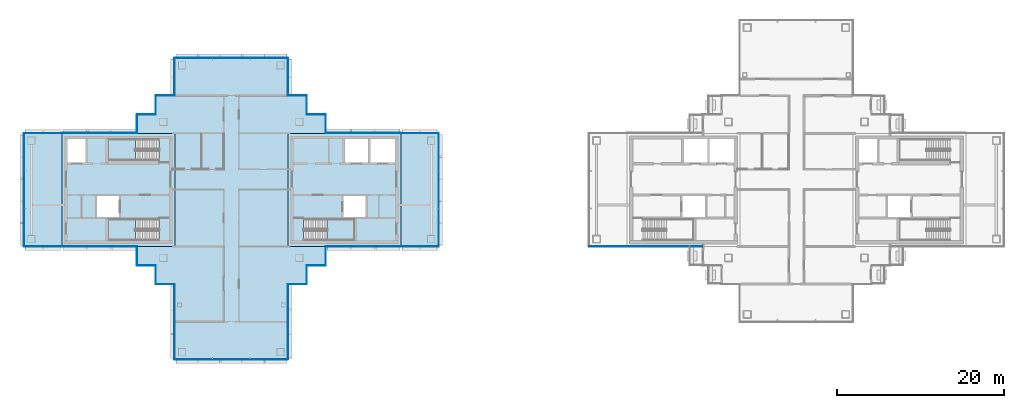
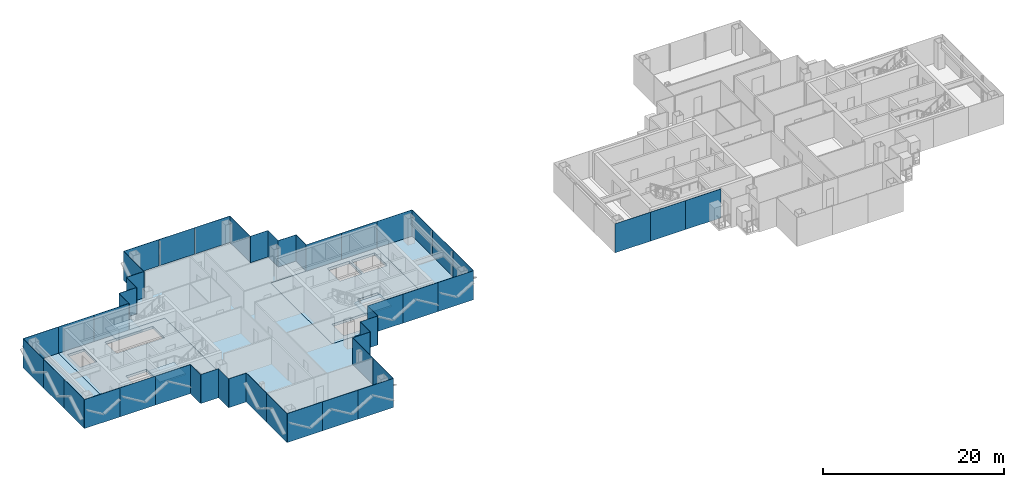
# One storey, part 7 of 17: 49 plates, 8 slabs, 25 elements without a shape of their own.
"""IFC4 building model written with IfcOpenShell, lengths in metres."""

from ifc_helpers import new_model, si_unit, direction, frame, origin, origin_2d, place, context, subcontext, project, spatial, polyline, rectangle, outline, extrude, material, layer, layer_set, type_object, element, aggregate, save


model = new_model("IFC4")

# Units and contexts
model_context = context("Model", 3, precision=1e-05, world=origin(), true_north=direction((0.0, 1.0)))
body_context = subcontext(model_context, "Body", "Model", "MODEL_VIEW")
ifc_project = project(units=[si_unit("LENGTHUNIT", "METRE"), si_unit("AREAUNIT", "SQUARE_METRE"), si_unit("VOLUMEUNIT", "CUBIC_METRE"), si_unit("PLANEANGLEUNIT", "RADIAN"), si_unit("MASSUNIT", "GRAM", prefix="KILO")], contexts=[model_context])

# Site, building, storey
site_placement = place(None, origin())
site = spatial("IfcSite", under=ifc_project, at=site_placement, CompositionType="ELEMENT")
building_placement = place(site_placement, origin())
building = spatial("IfcBuilding", under=site, at=building_placement, Name="Shamsa Quay Exchange Towers", CompositionType="ELEMENT")
storey_placement = place(building_placement, frame((0.0, 0.0, 230.39990234375)))
storey = spatial("IfcBuildingStorey", under=building, at=storey_placement, Name="L55", CompositionType="ELEMENT", Elevation=230.39990234375)

# Slabs
ifc_material_1 = material(Name="Concrete C50/60", Category="concrete")
ifc_layer_1 = layer(ifc_material_1, 0.35009765625)
ifc_layer_set_1 = layer_set([ifc_layer_1], Name="CORE FLOOR 350 C50/60")
slab_type_1 = type_object("IfcSlabType", Name="CORE FLOOR 350 C50/60", PredefinedType="FLOOR", material=ifc_layer_set_1)
slab_1_placement = place(storey_placement, frame((0.0, 0.0, -0.349853515625)))
element("IfcSlab", 1, at=slab_1_placement, inside=storey, type_object=slab_type_1, Name="Core floor T1A", PredefinedType="FLOOR", context=body_context, shape_type="SweptSolid", body=[
    extrude(outline(polyline([(-27.0, -6.75), (-13.5, -6.75), (-13.5, 6.75), (-27.0, 6.75), (-27.0, -6.75)]), holes=[polyline([(-25.099365234375, -6.050048828125), (-25.099365234375, -3.5), (-19.0, -3.5), (-19.0, -6.050048828125), (-25.099365234375, -6.050048828125)]), polyline([(-20.199951171875, 3.25), (-20.199951171875, 6.050048828125), (-17.39990234375, 6.050048828125), (-17.39990234375, 3.25), (-20.199951171875, 3.25)]), polyline([(-17.14990234375, 3.25), (-17.14990234375, 6.050048828125), (-14.199951171875, 6.050048828125), (-14.199951171875, 3.25), (-17.14990234375, 3.25)]), polyline([(-20.35009765625, -3.25), (-20.35009765625, -0.75), (-17.699951171875, -0.75), (-17.699951171875, -3.25), (-20.35009765625, -3.25)])]), origin(), (0.0, 0.0, 1.0), 0.349853515625),
])
slab_2_placement = place(storey_placement, frame((0.0, 0.0, -0.349853515625)))
element("IfcSlab", 2, at=slab_2_placement, inside=storey, type_object=slab_type_1, Name="Core floor T1B", PredefinedType="FLOOR", context=body_context, shape_type="SweptSolid", body=[
    extrude(outline(polyline([(-40.5, -6.75), (-40.5, 6.75), (-54.0, 6.75), (-54.0, -6.75), (-40.5, -6.75)]), holes=[polyline([(-42.400634765625, -3.5), (-42.400634765625, -6.050048828125), (-48.5, -6.050048828125), (-48.5, -3.5), (-42.400634765625, -3.5)]), polyline([(-42.400634765625, 6.050048828125), (-42.400634765625, 3.5), (-48.5, 3.5), (-48.5, 6.050048828125), (-42.400634765625, 6.050048828125)]), polyline([(-51.14990234375, 3.25), (-53.300048828125, 3.25), (-53.300048828125, 6.050048828125), (-51.14990234375, 6.050048828125), (-51.14990234375, 3.25)]), polyline([(-47.14990234375, -3.25), (-49.800048828125, -3.25), (-49.800048828125, -0.75), (-47.14990234375, -0.75), (-47.14990234375, -3.25)])]), origin(), (0.0, 0.0, 1.0), 0.349853515625),
])

# Stair, slab
ifc_material_2 = material(Name="Concrete C40/50", Category="concrete")
stair_type = type_object("IfcStairType", Name="EXIT STAIR 22 RISERS 177 MM", PredefinedType="HALF_TURN_STAIR", material=ifc_material_2)
stair_1_placement = place(storey_placement, origin())
stair_1 = element("IfcStair", 3, at=stair_1_placement, inside=storey, type_object=stair_type, Name="L55 Exit stair ST1", PredefinedType="HALF_TURN_STAIR")
ifc_layer_2 = layer(ifc_material_2, 0.199951171875)
ifc_layer_set_2 = layer_set([ifc_layer_2], Name="CORE STAIR LANDING")
slab_type_2 = type_object("IfcSlabType", Name="CORE STAIR LANDING", PredefinedType="LANDING", material=ifc_layer_set_2)
slab_3_placement = place(storey_placement, frame((0.0, 0.0, 1.75)))
slab_3 = element("IfcSlab", 4, at=slab_3_placement, type_object=slab_type_2, Name="ST1 landing 1", PredefinedType="LANDING", context=body_context, shape_type="SweptSolid", body=[
    extrude(outline(polyline([(-22.300048828125, -6.050048828125), (-19.0, -6.050048828125), (-19.0, -3.5), (-22.300048828125, -3.5), (-22.300048828125, -6.050048828125)])), origin(), (0.0, 0.0, 1.0), 0.2001953125),
])
aggregate(stair_1, [slab_3])

stair_2_placement = place(storey_placement, origin())
stair_2 = element("IfcStair", 5, at=stair_2_placement, inside=storey, type_object=stair_type, Name="L55 Exit stair ST2", PredefinedType="HALF_TURN_STAIR")
slab_4_placement = place(storey_placement, frame((0.0, 0.0, 1.75)))
slab_4 = element("IfcSlab", 6, at=slab_4_placement, type_object=slab_type_2, Name="ST2 landing 1", PredefinedType="LANDING", context=body_context, shape_type="SweptSolid", body=[
    extrude(outline(polyline([(-45.199951171875, -3.5), (-48.5, -3.5), (-48.5, -6.050048828125), (-45.199951171875, -6.050048828125), (-45.199951171875, -3.5)])), origin(), (0.0, 0.0, 1.0), 0.2001953125),
])
aggregate(stair_2, [slab_4])

stair_3_placement = place(storey_placement, origin())
stair_3 = element("IfcStair", 7, at=stair_3_placement, inside=storey, type_object=stair_type, Name="L55 Exit stair ST3", PredefinedType="HALF_TURN_STAIR")
slab_5_placement = place(storey_placement, frame((0.0, 0.0, 1.75)))
slab_5 = element("IfcSlab", 8, at=slab_5_placement, type_object=slab_type_2, Name="ST3 landing 1", PredefinedType="LANDING", context=body_context, shape_type="SweptSolid", body=[
    extrude(outline(polyline([(-45.199951171875, 6.050048828125), (-48.5, 6.050048828125), (-48.5, 3.5), (-45.199951171875, 3.5), (-45.199951171875, 6.050048828125)])), origin(), (0.0, 0.0, 1.0), 0.2001953125),
])
aggregate(stair_3, [slab_5])

# Curtain wall, plates
ifc_material_3 = material(Name="Aluminium EN AW-6063 T6, black anodised", Category="aluminium")
ifc_layer_3 = layer(ifc_material_3, 0.280029296875)
ifc_layer_set_3 = layer_set([ifc_layer_3], Name="CW-1 UNITISED VISION GLASS")
curtain_wall_type_1 = type_object("IfcCurtainWallType", Name="CW-1 UNITISED VISION GLASS", PredefinedType="NOTDEFINED", material=ifc_layer_set_3)
curtain_wall_1_placement = place(storey_placement, origin())
curtain_wall_1 = element("IfcCurtainWall", 9, at=curtain_wall_1_placement, inside=storey, type_object=curtain_wall_type_1, Name="CW1 T1-FLK-V-W L55", PredefinedType="NOTDEFINED")
ifc_material_4 = material(Name="Glass, laminated, dark tinted", Category="glass")
ifc_layer_4 = layer(ifc_material_4, 0.0400390625)
ifc_layer_set_4 = layer_set([ifc_layer_4], Name="CW-1 VISION GLASS 40")
plate_type_1 = type_object("IfcPlateType", Name="CW-1 VISION GLASS 40", PredefinedType="CURTAIN_PANEL", material=ifc_layer_set_4)
plate_1_placement = place(storey_placement, frame((-40.52001953125, -13.52587890625, -0.349853515625), z_axis=(0.0, 0.0, 1.0), x_axis=(0.0, -1.0, 0.0)))
plate_1 = element("IfcPlate", 10, at=plate_1_placement, type_object=plate_type_1, Name="CW1 glass panel", PredefinedType="CURTAIN_PANEL", context=body_context, shape_type="SweptSolid", body=[
    extrude(rectangle(XDim=4.47607421875, YDim=0.0400390625, at=origin_2d()), origin(), (0.0, 0.0, 1.0), 3.89990234375),
])
plate_2_placement = place(storey_placement, frame((-40.52001953125, -18.011962890625, -0.349853515625), z_axis=(0.0, 0.0, 1.0), x_axis=(0.0, -1.0, 0.0)))
plate_2 = element("IfcPlate", 11, at=plate_2_placement, type_object=plate_type_1, Name="CW1 glass panel", PredefinedType="CURTAIN_PANEL", context=body_context, shape_type="SweptSolid", body=[
    extrude(rectangle(XDim=4.47607421875, YDim=0.0400390625, at=origin_2d()), origin(), (0.0, 0.0, 1.0), 3.89990234375),
])
aggregate(curtain_wall_1, [plate_1, plate_2])

curtain_wall_2_placement = place(storey_placement, origin())
curtain_wall_2 = element("IfcCurtainWall", 12, at=curtain_wall_2_placement, inside=storey, type_object=curtain_wall_type_1, Name="CW1 T1-END-V- L55", PredefinedType="NOTDEFINED")
plate_3_placement = place(storey_placement, frame((-38.25244140625, -20.27001953125, -0.349853515625)))
plate_3 = element("IfcPlate", 13, at=plate_3_placement, type_object=plate_type_1, Name="CW1 glass panel", PredefinedType="CURTAIN_PANEL", context=body_context, shape_type="SweptSolid", body=[
    extrude(rectangle(XDim=4.4951171875, YDim=0.0400390625, at=origin_2d()), origin(), (0.0, 0.0, 1.0), 3.89990234375),
])
plate_4_placement = place(storey_placement, frame((-33.75, -20.27001953125, -0.349853515625)))
plate_4 = element("IfcPlate", 14, at=plate_4_placement, type_object=plate_type_1, Name="CW1 glass panel", PredefinedType="CURTAIN_PANEL", context=body_context, shape_type="SweptSolid", body=[
    extrude(rectangle(XDim=4.489990234375, YDim=0.0400390625, at=origin_2d()), origin(), (0.0, 0.0, 1.0), 3.89990234375),
])
plate_5_placement = place(storey_placement, frame((-29.24755859375, -20.27001953125, -0.349853515625)))
plate_5 = element("IfcPlate", 15, at=plate_5_placement, type_object=plate_type_1, Name="CW1 glass panel", PredefinedType="CURTAIN_PANEL", context=body_context, shape_type="SweptSolid", body=[
    extrude(rectangle(XDim=4.4951171875, YDim=0.0400390625, at=origin_2d()), origin(), (0.0, 0.0, 1.0), 3.89990234375),
])
aggregate(curtain_wall_2, [plate_3, plate_4, plate_5])

curtain_wall_3_placement = place(storey_placement, origin())
curtain_wall_3 = element("IfcCurtainWall", 16, at=curtain_wall_3_placement, inside=storey, type_object=curtain_wall_type_1, Name="CW1 T1-FLK-V-E L55", PredefinedType="NOTDEFINED")
plate_6_placement = place(storey_placement, frame((-26.97998046875, -18.00244140625, -0.349853515625), z_axis=(0.0, 0.0, 1.0), x_axis=(0.0, 1.0, 0.0)))
plate_6 = element("IfcPlate", 17, at=plate_6_placement, type_object=plate_type_1, Name="CW1 glass panel", PredefinedType="CURTAIN_PANEL", context=body_context, shape_type="SweptSolid", body=[
    extrude(rectangle(XDim=4.4951171875, YDim=0.0400390625, at=origin_2d()), origin(), (0.0, 0.0, 1.0), 3.89990234375),
])
plate_7_placement = place(storey_placement, frame((-26.97998046875, -13.49755859375, -0.349853515625), z_axis=(0.0, 0.0, 1.0), x_axis=(0.0, 1.0, 0.0)))
plate_7 = element("IfcPlate", 18, at=plate_7_placement, type_object=plate_type_1, Name="CW1 glass panel", PredefinedType="CURTAIN_PANEL", context=body_context, shape_type="SweptSolid", body=[
    extrude(rectangle(XDim=4.4951171875, YDim=0.0400390625, at=origin_2d()), origin(), (0.0, 0.0, 1.0), 3.89990234375),
])
aggregate(curtain_wall_3, [plate_6, plate_7])

# Curtain wall, plate
curtain_wall_4_placement = place(storey_placement, origin())
curtain_wall_4 = element("IfcCurtainWall", 19, at=curtain_wall_4_placement, inside=storey, type_object=curtain_wall_type_1, Name="CW1 T1-FLK-U+S L55", PredefinedType="NOTDEFINED")
plate_8_placement = place(storey_placement, frame((-11.25, -6.77001953125, -0.349853515625)))
plate_8 = element("IfcPlate", 20, at=plate_8_placement, type_object=plate_type_1, Name="CW1 glass panel", PredefinedType="CURTAIN_PANEL", context=body_context, shape_type="SweptSolid", body=[
    extrude(rectangle(XDim=4.5, YDim=0.0400390625, at=origin_2d()), origin(), (0.0, 0.0, 1.0), 3.89990234375),
])
aggregate(curtain_wall_4, [plate_8])

# Curtain wall, plates
curtain_wall_5_placement = place(storey_placement, origin())
curtain_wall_5 = element("IfcCurtainWall", 21, at=curtain_wall_5_placement, inside=storey, type_object=curtain_wall_type_1, Name="CW1 T1-END-U+ L55", PredefinedType="NOTDEFINED")
plate_9_placement = place(storey_placement, frame((-8.97998046875, -4.50244140625, -0.349853515625), z_axis=(0.0, 0.0, 1.0), x_axis=(0.0, 1.0, 0.0)))
plate_9 = element("IfcPlate", 22, at=plate_9_placement, type_object=plate_type_1, Name="CW1 glass panel", PredefinedType="CURTAIN_PANEL", context=body_context, shape_type="SweptSolid", body=[
    extrude(rectangle(XDim=4.4951171875, YDim=0.0400390625, at=origin_2d()), origin(), (0.0, 0.0, 1.0), 3.89990234375),
])
plate_10_placement = place(storey_placement, frame((-8.97998046875, 0.0, -0.349853515625), z_axis=(0.0, 0.0, 1.0), x_axis=(0.0, 1.0, 0.0)))
plate_10 = element("IfcPlate", 23, at=plate_10_placement, type_object=plate_type_1, Name="CW1 glass panel", PredefinedType="CURTAIN_PANEL", context=body_context, shape_type="SweptSolid", body=[
    extrude(rectangle(XDim=4.489990234375, YDim=0.0400390625, at=origin_2d()), origin(), (0.0, 0.0, 1.0), 3.89990234375),
])
plate_11_placement = place(storey_placement, frame((-8.97998046875, 4.50244140625, -0.349853515625), z_axis=(0.0, 0.0, 1.0), x_axis=(0.0, 1.0, 0.0)))
plate_11 = element("IfcPlate", 24, at=plate_11_placement, type_object=plate_type_1, Name="CW1 glass panel", PredefinedType="CURTAIN_PANEL", context=body_context, shape_type="SweptSolid", body=[
    extrude(rectangle(XDim=4.4951171875, YDim=0.0400390625, at=origin_2d()), origin(), (0.0, 0.0, 1.0), 3.89990234375),
])
aggregate(curtain_wall_5, [plate_9, plate_10, plate_11])

# Curtain wall, plate
curtain_wall_6_placement = place(storey_placement, origin())
curtain_wall_6 = element("IfcCurtainWall", 25, at=curtain_wall_6_placement, inside=storey, type_object=curtain_wall_type_1, Name="CW1 T1-FLK-U+N L55", PredefinedType="NOTDEFINED")
plate_12_placement = place(storey_placement, frame((-11.25, 6.77001953125, -0.349853515625), z_axis=(0.0, 0.0, 1.0), x_axis=(-1.0, 0.0, 0.0)))
plate_12 = element("IfcPlate", 26, at=plate_12_placement, type_object=plate_type_1, Name="CW1 glass panel", PredefinedType="CURTAIN_PANEL", context=body_context, shape_type="SweptSolid", body=[
    extrude(rectangle(XDim=4.5, YDim=0.0400390625, at=origin_2d()), origin(), (0.0, 0.0, 1.0), 3.89990234375),
])
aggregate(curtain_wall_6, [plate_12])

curtain_wall_7_placement = place(storey_placement, origin())
curtain_wall_7 = element("IfcCurtainWall", 27, at=curtain_wall_7_placement, inside=storey, type_object=curtain_wall_type_1, Name="CW1 T1-FLK-V+E L55", PredefinedType="NOTDEFINED")
plate_13_placement = place(storey_placement, frame((-26.97998046875, 13.51904296875, -0.349853515625), z_axis=(0.0, 0.0, 1.0), x_axis=(0.0, 1.0, 0.0)))
plate_13 = element("IfcPlate", 28, at=plate_13_placement, type_object=plate_type_1, Name="CW1 glass panel", PredefinedType="CURTAIN_PANEL", context=body_context, shape_type="SweptSolid", body=[
    extrude(rectangle(XDim=4.4619140625, YDim=0.0400390625, at=origin_2d()), origin(), (0.0, 0.0, 1.0), 3.89990234375),
])
aggregate(curtain_wall_7, [plate_13])

# Curtain wall, plates
curtain_wall_8_placement = place(storey_placement, origin())
curtain_wall_8 = element("IfcCurtainWall", 29, at=curtain_wall_8_placement, inside=storey, type_object=curtain_wall_type_1, Name="CW1 T1-END-V+ L55", PredefinedType="NOTDEFINED")
plate_14_placement = place(storey_placement, frame((-29.24755859375, 15.77001953125, -0.349853515625), z_axis=(0.0, 0.0, 1.0), x_axis=(-1.0, 0.0, 0.0)))
plate_14 = element("IfcPlate", 30, at=plate_14_placement, type_object=plate_type_1, Name="CW1 glass panel", PredefinedType="CURTAIN_PANEL", context=body_context, shape_type="SweptSolid", body=[
    extrude(rectangle(XDim=4.4951171875, YDim=0.0400390625, at=origin_2d()), origin(), (0.0, 0.0, 1.0), 3.89990234375),
])
plate_15_placement = place(storey_placement, frame((-33.75, 15.77001953125, -0.349853515625), z_axis=(0.0, 0.0, 1.0), x_axis=(-1.0, 0.0, 0.0)))
plate_15 = element("IfcPlate", 31, at=plate_15_placement, type_object=plate_type_1, Name="CW1 glass panel", PredefinedType="CURTAIN_PANEL", context=body_context, shape_type="SweptSolid", body=[
    extrude(rectangle(XDim=4.489990234375, YDim=0.0400390625, at=origin_2d()), origin(), (0.0, 0.0, 1.0), 3.89990234375),
])
plate_16_placement = place(storey_placement, frame((-38.25244140625, 15.77001953125, -0.349853515625), z_axis=(0.0, 0.0, 1.0), x_axis=(-1.0, 0.0, 0.0)))
plate_16 = element("IfcPlate", 32, at=plate_16_placement, type_object=plate_type_1, Name="CW1 glass panel", PredefinedType="CURTAIN_PANEL", context=body_context, shape_type="SweptSolid", body=[
    extrude(rectangle(XDim=4.4951171875, YDim=0.0400390625, at=origin_2d()), origin(), (0.0, 0.0, 1.0), 3.89990234375),
])
aggregate(curtain_wall_8, [plate_14, plate_15, plate_16])

# Curtain wall, plate
curtain_wall_9_placement = place(storey_placement, origin())
curtain_wall_9 = element("IfcCurtainWall", 33, at=curtain_wall_9_placement, inside=storey, type_object=curtain_wall_type_1, Name="CW1 T1-FLK-V+W L55", PredefinedType="NOTDEFINED")
plate_17_placement = place(storey_placement, frame((-40.52001953125, 13.5, -0.349853515625), z_axis=(0.0, 0.0, 1.0), x_axis=(0.0, -1.0, 0.0)))
plate_17 = element("IfcPlate", 34, at=plate_17_placement, type_object=plate_type_1, Name="CW1 glass panel", PredefinedType="CURTAIN_PANEL", context=body_context, shape_type="SweptSolid", body=[
    extrude(rectangle(XDim=4.5, YDim=0.0400390625, at=origin_2d()), origin(), (0.0, 0.0, 1.0), 3.89990234375),
])
aggregate(curtain_wall_9, [plate_17])

curtain_wall_10_placement = place(storey_placement, origin())
curtain_wall_10 = element("IfcCurtainWall", 35, at=curtain_wall_10_placement, inside=storey, type_object=curtain_wall_type_1, Name="CW1 T1-FLK-U-N L55", PredefinedType="NOTDEFINED")
plate_18_placement = place(storey_placement, frame((-56.25, 6.77001953125, -0.349853515625), z_axis=(0.0, 0.0, 1.0), x_axis=(-1.0, 0.0, 0.0)))
plate_18 = element("IfcPlate", 36, at=plate_18_placement, type_object=plate_type_1, Name="CW1 glass panel", PredefinedType="CURTAIN_PANEL", context=body_context, shape_type="SweptSolid", body=[
    extrude(rectangle(XDim=4.5, YDim=0.0400390625, at=origin_2d()), origin(), (0.0, 0.0, 1.0), 3.89990234375),
])
aggregate(curtain_wall_10, [plate_18])

# Curtain wall, plates
curtain_wall_11_placement = place(storey_placement, origin())
curtain_wall_11 = element("IfcCurtainWall", 37, at=curtain_wall_11_placement, inside=storey, type_object=curtain_wall_type_1, Name="CW1 T1-END-U- L55", PredefinedType="NOTDEFINED")
plate_19_placement = place(storey_placement, frame((-58.52001953125, 4.50244140625, -0.349853515625), z_axis=(0.0, 0.0, 1.0), x_axis=(0.0, -1.0, 0.0)))
plate_19 = element("IfcPlate", 38, at=plate_19_placement, type_object=plate_type_1, Name="CW1 glass panel", PredefinedType="CURTAIN_PANEL", context=body_context, shape_type="SweptSolid", body=[
    extrude(rectangle(XDim=4.4951171875, YDim=0.0400390625, at=origin_2d()), origin(), (0.0, 0.0, 1.0), 3.89990234375),
])
plate_20_placement = place(storey_placement, frame((-58.52001953125, 0.0, -0.349853515625), z_axis=(0.0, 0.0, 1.0), x_axis=(0.0, -1.0, 0.0)))
plate_20 = element("IfcPlate", 39, at=plate_20_placement, type_object=plate_type_1, Name="CW1 glass panel", PredefinedType="CURTAIN_PANEL", context=body_context, shape_type="SweptSolid", body=[
    extrude(rectangle(XDim=4.489990234375, YDim=0.0400390625, at=origin_2d()), origin(), (0.0, 0.0, 1.0), 3.89990234375),
])
plate_21_placement = place(storey_placement, frame((-58.52001953125, -4.50244140625, -0.349853515625), z_axis=(0.0, 0.0, 1.0), x_axis=(0.0, -1.0, 0.0)))
plate_21 = element("IfcPlate", 40, at=plate_21_placement, type_object=plate_type_1, Name="CW1 glass panel", PredefinedType="CURTAIN_PANEL", context=body_context, shape_type="SweptSolid", body=[
    extrude(rectangle(XDim=4.4951171875, YDim=0.0400390625, at=origin_2d()), origin(), (0.0, 0.0, 1.0), 3.89990234375),
])
aggregate(curtain_wall_11, [plate_19, plate_20, plate_21])

# Curtain wall, plate
curtain_wall_12_placement = place(storey_placement, origin())
curtain_wall_12 = element("IfcCurtainWall", 41, at=curtain_wall_12_placement, inside=storey, type_object=curtain_wall_type_1, Name="CW1 T1-FLK-U-S L55", PredefinedType="NOTDEFINED")
plate_22_placement = place(storey_placement, frame((-56.25, -6.77001953125, -0.349853515625)))
plate_22 = element("IfcPlate", 42, at=plate_22_placement, type_object=plate_type_1, Name="CW1 glass panel", PredefinedType="CURTAIN_PANEL", context=body_context, shape_type="SweptSolid", body=[
    extrude(rectangle(XDim=4.5, YDim=0.0400390625, at=origin_2d()), origin(), (0.0, 0.0, 1.0), 3.89990234375),
])
aggregate(curtain_wall_12, [plate_22])

curtain_wall_13_placement = place(storey_placement, origin())
curtain_wall_13 = element("IfcCurtainWall", 43, at=curtain_wall_13_placement, inside=storey, type_object=curtain_wall_type_1, Name="CW1 T2-FLK-V+W L55", PredefinedType="NOTDEFINED")
plate_23_placement = place(storey_placement, frame((11.25, -6.77001953125, -0.349853515625)))
plate_23 = element("IfcPlate", 44, at=plate_23_placement, type_object=plate_type_1, Name="CW1 glass panel", PredefinedType="CURTAIN_PANEL", context=body_context, shape_type="SweptSolid", body=[
    extrude(rectangle(XDim=4.5, YDim=0.0400390625, at=origin_2d()), origin(), (0.0, 0.0, 1.0), 3.89990234375),
])
aggregate(curtain_wall_13, [plate_23])

# Curtain wall, plates
ifc_layer_5 = layer(ifc_material_3, 0.303955078125)
ifc_layer_set_5 = layer_set([ifc_layer_5], Name="CW-2 UNITISED OPAQUE SPANDREL GLASS")
curtain_wall_type_2 = type_object("IfcCurtainWallType", Name="CW-2 UNITISED OPAQUE SPANDREL GLASS", PredefinedType="NOTDEFINED", material=ifc_layer_set_5)
curtain_wall_14_placement = place(storey_placement, origin())
curtain_wall_14 = element("IfcCurtainWall", 45, at=curtain_wall_14_placement, inside=storey, type_object=curtain_wall_type_2, Name="CW2 T1-FLK-U+S L55", PredefinedType="NOTDEFINED")
ifc_material_5 = material(Name="Glass, laminated, black enamelled opaque", Category="glass")
ifc_layer_6 = layer(ifc_material_5, 0.0439453125)
ifc_layer_set_6 = layer_set([ifc_layer_6], Name="CW-2 SPANDREL GLASS 44")
plate_type_2 = type_object("IfcPlateType", Name="CW-2 SPANDREL GLASS 44", PredefinedType="CURTAIN_PANEL", material=ifc_layer_set_6)
plate_24_placement = place(storey_placement, frame((-20.22412109375, -6.77197265625, -0.349853515625)))
plate_24 = element("IfcPlate", 46, at=plate_24_placement, type_object=plate_type_2, Name="CW2 glass panel", PredefinedType="CURTAIN_PANEL", context=body_context, shape_type="SweptSolid", body=[
    extrude(rectangle(XDim=4.47607421875, YDim=0.0439453125, at=origin_2d()), origin(), (0.0, 0.0, 1.0), 3.89990234375),
])
plate_25_placement = place(storey_placement, frame((-15.738037109375, -6.77197265625, -0.349853515625)))
plate_25 = element("IfcPlate", 47, at=plate_25_placement, type_object=plate_type_2, Name="CW2 glass panel", PredefinedType="CURTAIN_PANEL", context=body_context, shape_type="SweptSolid", body=[
    extrude(rectangle(XDim=4.47607421875, YDim=0.0439453125, at=origin_2d()), origin(), (0.0, 0.0, 1.0), 3.89990234375),
])
aggregate(curtain_wall_14, [plate_24, plate_25])

curtain_wall_15_placement = place(storey_placement, origin())
curtain_wall_15 = element("IfcCurtainWall", 48, at=curtain_wall_15_placement, inside=storey, type_object=curtain_wall_type_2, Name="CW2 T1-FLK-U+N L55", PredefinedType="NOTDEFINED")
plate_26_placement = place(storey_placement, frame((-15.74755859375, 6.77197265625, -0.349853515625), z_axis=(0.0, 0.0, 1.0), x_axis=(-1.0, 0.0, 0.0)))
plate_26 = element("IfcPlate", 49, at=plate_26_placement, type_object=plate_type_2, Name="CW2 glass panel", PredefinedType="CURTAIN_PANEL", context=body_context, shape_type="SweptSolid", body=[
    extrude(rectangle(XDim=4.4951171875, YDim=0.0439453125, at=origin_2d()), origin(), (0.0, 0.0, 1.0), 3.89990234375),
])
plate_27_placement = place(storey_placement, frame((-20.25244140625, 6.77197265625, -0.349853515625), z_axis=(0.0, 0.0, 1.0), x_axis=(-1.0, 0.0, 0.0)))
plate_27 = element("IfcPlate", 50, at=plate_27_placement, type_object=plate_type_2, Name="CW2 glass panel", PredefinedType="CURTAIN_PANEL", context=body_context, shape_type="SweptSolid", body=[
    extrude(rectangle(XDim=4.4951171875, YDim=0.0439453125, at=origin_2d()), origin(), (0.0, 0.0, 1.0), 3.89990234375),
])
aggregate(curtain_wall_15, [plate_26, plate_27])

curtain_wall_16_placement = place(storey_placement, origin())
curtain_wall_16 = element("IfcCurtainWall", 51, at=curtain_wall_16_placement, inside=storey, type_object=curtain_wall_type_2, Name="CW2 T1-FLK-U-N L55", PredefinedType="NOTDEFINED")
plate_28_placement = place(storey_placement, frame((-47.27587890625, 6.77197265625, -0.349853515625), z_axis=(0.0, 0.0, 1.0), x_axis=(-1.0, 0.0, 0.0)))
plate_28 = element("IfcPlate", 52, at=plate_28_placement, type_object=plate_type_2, Name="CW2 glass panel", PredefinedType="CURTAIN_PANEL", context=body_context, shape_type="SweptSolid", body=[
    extrude(rectangle(XDim=4.47607421875, YDim=0.0439453125, at=origin_2d()), origin(), (0.0, 0.0, 1.0), 3.89990234375),
])
plate_29_placement = place(storey_placement, frame((-51.761962890625, 6.77197265625, -0.349853515625), z_axis=(0.0, 0.0, 1.0), x_axis=(-1.0, 0.0, 0.0)))
plate_29 = element("IfcPlate", 53, at=plate_29_placement, type_object=plate_type_2, Name="CW2 glass panel", PredefinedType="CURTAIN_PANEL", context=body_context, shape_type="SweptSolid", body=[
    extrude(rectangle(XDim=4.47607421875, YDim=0.0439453125, at=origin_2d()), origin(), (0.0, 0.0, 1.0), 3.89990234375),
])
aggregate(curtain_wall_16, [plate_28, plate_29])

curtain_wall_17_placement = place(storey_placement, origin())
curtain_wall_17 = element("IfcCurtainWall", 54, at=curtain_wall_17_placement, inside=storey, type_object=curtain_wall_type_2, Name="CW2 T1-FLK-U-S L55", PredefinedType="NOTDEFINED")
plate_30_placement = place(storey_placement, frame((-51.75244140625, -6.77197265625, -0.349853515625)))
plate_30 = element("IfcPlate", 55, at=plate_30_placement, type_object=plate_type_2, Name="CW2 glass panel", PredefinedType="CURTAIN_PANEL", context=body_context, shape_type="SweptSolid", body=[
    extrude(rectangle(XDim=4.4951171875, YDim=0.0439453125, at=origin_2d()), origin(), (0.0, 0.0, 1.0), 3.89990234375),
])
plate_31_placement = place(storey_placement, frame((-47.24755859375, -6.77197265625, -0.349853515625)))
plate_31 = element("IfcPlate", 56, at=plate_31_placement, type_object=plate_type_2, Name="CW2 glass panel", PredefinedType="CURTAIN_PANEL", context=body_context, shape_type="SweptSolid", body=[
    extrude(rectangle(XDim=4.4951171875, YDim=0.0439453125, at=origin_2d()), origin(), (0.0, 0.0, 1.0), 3.89990234375),
])
aggregate(curtain_wall_17, [plate_30, plate_31])

curtain_wall_18_placement = place(storey_placement, origin())
curtain_wall_18 = element("IfcCurtainWall", 57, at=curtain_wall_18_placement, inside=storey, type_object=curtain_wall_type_2, Name="CW2 T2-FLK-V+W L55", PredefinedType="NOTDEFINED")
plate_32_placement = place(storey_placement, frame((15.74755859375, -6.77197265625, -0.349853515625)))
plate_32 = element("IfcPlate", 58, at=plate_32_placement, type_object=plate_type_2, Name="CW2 glass panel", PredefinedType="CURTAIN_PANEL", context=body_context, shape_type="SweptSolid", body=[
    extrude(rectangle(XDim=4.4951171875, YDim=0.0439453125, at=origin_2d()), origin(), (0.0, 0.0, 1.0), 3.89990234375),
])
plate_33_placement = place(storey_placement, frame((20.25244140625, -6.77197265625, -0.349853515625)))
plate_33 = element("IfcPlate", 59, at=plate_33_placement, type_object=plate_type_2, Name="CW2 glass panel", PredefinedType="CURTAIN_PANEL", context=body_context, shape_type="SweptSolid", body=[
    extrude(rectangle(XDim=4.4951171875, YDim=0.0439453125, at=origin_2d()), origin(), (0.0, 0.0, 1.0), 3.89990234375),
])
aggregate(curtain_wall_18, [plate_32, plate_33])

ifc_layer_7 = layer(ifc_material_3, 0.256103515625)
ifc_layer_set_7 = layer_set([ifc_layer_7], Name="CW-4 POCKET SERRATED GLAZING")
curtain_wall_type_3 = type_object("IfcCurtainWallType", Name="CW-4 POCKET SERRATED GLAZING", PredefinedType="NOTDEFINED", material=ifc_layer_set_7)
curtain_wall_19_placement = place(storey_placement, origin())
curtain_wall_19 = element("IfcCurtainWall", 60, at=curtain_wall_19_placement, inside=storey, type_object=curtain_wall_type_3, Name="CW4 PKWS L55", PredefinedType="NOTDEFINED")
ifc_layer_8 = layer(ifc_material_4, 0.035888671875)
ifc_layer_set_8 = layer_set([ifc_layer_8], Name="CW-4 POCKET GLASS 36")
plate_type_3 = type_object("IfcPlateType", Name="CW-4 POCKET GLASS 36", PredefinedType="CURTAIN_PANEL", material=ifc_layer_set_8)
plate_34_placement = place(storey_placement, frame((-42.76806640625, -10.14404296875, -0.349853515625), z_axis=(0.0, 0.0, 1.0), x_axis=(0.0, -1.0, 0.0)))
plate_34 = element("IfcPlate", 61, at=plate_34_placement, type_object=plate_type_3, Name="CW4 glass panel", PredefinedType="CURTAIN_PANEL", context=body_context, shape_type="SweptSolid", body=[
    extrude(rectangle(XDim=2.2119140625, YDim=0.035888671875, at=origin_2d()), origin(), (0.0, 0.0, 1.0), 3.89990234375),
])
plate_35_placement = place(storey_placement, frame((-41.625, -11.26806640625, -0.349853515625)))
plate_35 = element("IfcPlate", 62, at=plate_35_placement, type_object=plate_type_3, Name="CW4 glass panel", PredefinedType="CURTAIN_PANEL", context=body_context, shape_type="SweptSolid", body=[
    extrude(rectangle(XDim=2.25, YDim=0.035888671875, at=origin_2d()), origin(), (0.0, 0.0, 1.0), 3.89990234375),
])
plate_36_placement = place(storey_placement, frame((-45.01806640625, -7.89794921875, -0.349853515625), z_axis=(0.0, 0.0, 1.0), x_axis=(0.0, -1.0, 0.0)))
plate_36 = element("IfcPlate", 63, at=plate_36_placement, type_object=plate_type_3, Name="CW4 glass panel", PredefinedType="CURTAIN_PANEL", context=body_context, shape_type="SweptSolid", body=[
    extrude(rectangle(XDim=2.2041015625, YDim=0.035888671875, at=origin_2d()), origin(), (0.0, 0.0, 1.0), 3.89990234375),
])
plate_37_placement = place(storey_placement, frame((-43.875, -9.01806640625, -0.349853515625)))
plate_37 = element("IfcPlate", 64, at=plate_37_placement, type_object=plate_type_3, Name="CW4 glass panel", PredefinedType="CURTAIN_PANEL", context=body_context, shape_type="SweptSolid", body=[
    extrude(rectangle(XDim=2.25, YDim=0.035888671875, at=origin_2d()), origin(), (0.0, 0.0, 1.0), 3.89990234375),
])
aggregate(curtain_wall_19, [plate_34, plate_35, plate_36, plate_37])

curtain_wall_20_placement = place(storey_placement, origin())
curtain_wall_20 = element("IfcCurtainWall", 65, at=curtain_wall_20_placement, inside=storey, type_object=curtain_wall_type_3, Name="CW4 PKES L55", PredefinedType="NOTDEFINED")
plate_38_placement = place(storey_placement, frame((-25.85400390625, -11.26806640625, -0.349853515625)))
plate_38 = element("IfcPlate", 66, at=plate_38_placement, type_object=plate_type_3, Name="CW4 glass panel", PredefinedType="CURTAIN_PANEL", context=body_context, shape_type="SweptSolid", body=[
    extrude(rectangle(XDim=2.2080078125, YDim=0.035888671875, at=origin_2d()), origin(), (0.0, 0.0, 1.0), 3.89990234375),
])
plate_39_placement = place(storey_placement, frame((-24.73193359375, -10.125, -0.349853515625), z_axis=(0.0, 0.0, 1.0), x_axis=(0.0, 1.0, 0.0)))
plate_39 = element("IfcPlate", 67, at=plate_39_placement, type_object=plate_type_3, Name="CW4 glass panel", PredefinedType="CURTAIN_PANEL", context=body_context, shape_type="SweptSolid", body=[
    extrude(rectangle(XDim=2.25, YDim=0.035888671875, at=origin_2d()), origin(), (0.0, 0.0, 1.0), 3.89990234375),
])
plate_40_placement = place(storey_placement, frame((-23.60595703125, -9.01806640625, -0.349853515625)))
plate_40 = element("IfcPlate", 68, at=plate_40_placement, type_object=plate_type_3, Name="CW4 glass panel", PredefinedType="CURTAIN_PANEL", context=body_context, shape_type="SweptSolid", body=[
    extrude(rectangle(XDim=2.2119140625, YDim=0.035888671875, at=origin_2d()), origin(), (0.0, 0.0, 1.0), 3.89990234375),
])
plate_41_placement = place(storey_placement, frame((-22.48193359375, -7.875, -0.349853515625), z_axis=(0.0, 0.0, 1.0), x_axis=(0.0, 1.0, 0.0)))
plate_41 = element("IfcPlate", 69, at=plate_41_placement, type_object=plate_type_3, Name="CW4 glass panel", PredefinedType="CURTAIN_PANEL", context=body_context, shape_type="SweptSolid", body=[
    extrude(rectangle(XDim=2.25, YDim=0.035888671875, at=origin_2d()), origin(), (0.0, 0.0, 1.0), 3.89990234375),
])
aggregate(curtain_wall_20, [plate_38, plate_39, plate_40, plate_41])

curtain_wall_21_placement = place(storey_placement, origin())
curtain_wall_21 = element("IfcCurtainWall", 70, at=curtain_wall_21_placement, inside=storey, type_object=curtain_wall_type_3, Name="CW4 PKEN L55", PredefinedType="NOTDEFINED")
plate_42_placement = place(storey_placement, frame((-22.48193359375, 7.89794921875, -0.349853515625), z_axis=(0.0, 0.0, 1.0), x_axis=(0.0, 1.0, 0.0)))
plate_42 = element("IfcPlate", 71, at=plate_42_placement, type_object=plate_type_3, Name="CW4 glass panel", PredefinedType="CURTAIN_PANEL", context=body_context, shape_type="SweptSolid", body=[
    extrude(rectangle(XDim=2.2041015625, YDim=0.035888671875, at=origin_2d()), origin(), (0.0, 0.0, 1.0), 3.89990234375),
])
plate_43_placement = place(storey_placement, frame((-23.625, 9.01806640625, -0.349853515625), z_axis=(0.0, 0.0, 1.0), x_axis=(-1.0, 0.0, 0.0)))
plate_43 = element("IfcPlate", 72, at=plate_43_placement, type_object=plate_type_3, Name="CW4 glass panel", PredefinedType="CURTAIN_PANEL", context=body_context, shape_type="SweptSolid", body=[
    extrude(rectangle(XDim=2.25, YDim=0.035888671875, at=origin_2d()), origin(), (0.0, 0.0, 1.0), 3.89990234375),
])
plate_44_placement = place(storey_placement, frame((-24.73193359375, 10.14404296875, -0.349853515625), z_axis=(0.0, 0.0, 1.0), x_axis=(0.0, 1.0, 0.0)))
plate_44 = element("IfcPlate", 73, at=plate_44_placement, type_object=plate_type_3, Name="CW4 glass panel", PredefinedType="CURTAIN_PANEL", context=body_context, shape_type="SweptSolid", body=[
    extrude(rectangle(XDim=2.2119140625, YDim=0.035888671875, at=origin_2d()), origin(), (0.0, 0.0, 1.0), 3.89990234375),
])
plate_45_placement = place(storey_placement, frame((-25.875, 11.26806640625, -0.349853515625), z_axis=(0.0, 0.0, 1.0), x_axis=(-1.0, 0.0, 0.0)))
plate_45 = element("IfcPlate", 74, at=plate_45_placement, type_object=plate_type_3, Name="CW4 glass panel", PredefinedType="CURTAIN_PANEL", context=body_context, shape_type="SweptSolid", body=[
    extrude(rectangle(XDim=2.25, YDim=0.035888671875, at=origin_2d()), origin(), (0.0, 0.0, 1.0), 3.89990234375),
])
aggregate(curtain_wall_21, [plate_42, plate_43, plate_44, plate_45])

curtain_wall_22_placement = place(storey_placement, origin())
curtain_wall_22 = element("IfcCurtainWall", 75, at=curtain_wall_22_placement, inside=storey, type_object=curtain_wall_type_3, Name="CW4 PKWN L55", PredefinedType="NOTDEFINED")
plate_46_placement = place(storey_placement, frame((-41.64599609375, 11.26806640625, -0.349853515625), z_axis=(0.0, 0.0, 1.0), x_axis=(-1.0, 0.0, 0.0)))
plate_46 = element("IfcPlate", 76, at=plate_46_placement, type_object=plate_type_3, Name="CW4 glass panel", PredefinedType="CURTAIN_PANEL", context=body_context, shape_type="SweptSolid", body=[
    extrude(rectangle(XDim=2.2080078125, YDim=0.035888671875, at=origin_2d()), origin(), (0.0, 0.0, 1.0), 3.89990234375),
])
plate_47_placement = place(storey_placement, frame((-42.76806640625, 10.125, -0.349853515625), z_axis=(0.0, 0.0, 1.0), x_axis=(0.0, -1.0, 0.0)))
plate_47 = element("IfcPlate", 77, at=plate_47_placement, type_object=plate_type_3, Name="CW4 glass panel", PredefinedType="CURTAIN_PANEL", context=body_context, shape_type="SweptSolid", body=[
    extrude(rectangle(XDim=2.25, YDim=0.035888671875, at=origin_2d()), origin(), (0.0, 0.0, 1.0), 3.89990234375),
])
plate_48_placement = place(storey_placement, frame((-43.89404296875, 9.01806640625, -0.349853515625), z_axis=(0.0, 0.0, 1.0), x_axis=(-1.0, 0.0, 0.0)))
plate_48 = element("IfcPlate", 78, at=plate_48_placement, type_object=plate_type_3, Name="CW4 glass panel", PredefinedType="CURTAIN_PANEL", context=body_context, shape_type="SweptSolid", body=[
    extrude(rectangle(XDim=2.2119140625, YDim=0.035888671875, at=origin_2d()), origin(), (0.0, 0.0, 1.0), 3.89990234375),
])
plate_49_placement = place(storey_placement, frame((-45.01806640625, 7.875, -0.349853515625), z_axis=(0.0, 0.0, 1.0), x_axis=(0.0, -1.0, 0.0)))
plate_49 = element("IfcPlate", 79, at=plate_49_placement, type_object=plate_type_3, Name="CW4 glass panel", PredefinedType="CURTAIN_PANEL", context=body_context, shape_type="SweptSolid", body=[
    extrude(rectangle(XDim=2.25, YDim=0.035888671875, at=origin_2d()), origin(), (0.0, 0.0, 1.0), 3.89990234375),
])
aggregate(curtain_wall_22, [plate_46, plate_47, plate_48, plate_49])

# Slabs
ifc_layer_9 = layer(ifc_material_2, 0.35009765625)
ifc_layer_set_9 = layer_set([ifc_layer_9], Name="Flat slab 350")
slab_type_3 = type_object("IfcSlabType", Name="Flat slab 350", PredefinedType="FLOOR", material=ifc_layer_set_9)
slab_6_placement = place(storey_placement, frame((0.0, 0.0, -0.349853515625)))
element("IfcSlab", 80, at=slab_6_placement, inside=storey, type_object=slab_type_3, Name="Flat slab T1 L55 1", PredefinedType="FLOOR", context=body_context, shape_type="SweptSolid", body=[
    extrude(outline(polyline([(-58.5, -6.75), (-54.0, -6.75), (-54.0, 6.75), (-58.5, 6.75), (-58.5, -6.75)])), origin(), (0.0, 0.0, 1.0), 0.349853515625),
])
slab_7_placement = place(storey_placement, frame((0.0, 0.0, -0.349853515625)))
element("IfcSlab", 81, at=slab_7_placement, inside=storey, type_object=slab_type_3, Name="Flat slab T1 L55 2", PredefinedType="FLOOR", context=body_context, shape_type="SweptSolid", body=[
    extrude(outline(polyline([(-22.5, -9.0), (-22.5, -6.75), (-27.0, -6.75), (-27.0, 6.75), (-22.5, 6.75), (-22.5, 9.0), (-24.75, 9.0), (-24.75, 11.25), (-27.0, 11.25), (-27.0, 15.75), (-40.5, 15.75), (-40.5, 11.25), (-42.75, 11.25), (-42.75, 9.0), (-45.0, 9.0), (-45.0, 6.75), (-40.5, 6.75), (-40.5, -6.75), (-45.0, -6.75), (-45.0, -9.0), (-42.75, -9.0), (-42.75, -11.25), (-40.5, -11.25), (-40.5, -20.25), (-27.0, -20.25), (-27.0, -11.25), (-24.75, -11.25), (-24.75, -9.0), (-22.5, -9.0)])), origin(), (0.0, 0.0, 1.0), 0.349853515625),
])
slab_8_placement = place(storey_placement, frame((0.0, 0.0, -0.349853515625)))
element("IfcSlab", 82, at=slab_8_placement, inside=storey, type_object=slab_type_3, Name="Flat slab T1 L55 3", PredefinedType="FLOOR", context=body_context, shape_type="SweptSolid", body=[
    extrude(outline(polyline([(-9.0, 6.75), (-13.5, 6.75), (-13.5, -6.75), (-9.0, -6.75), (-9.0, 6.75)])), origin(), (0.0, 0.0, 1.0), 0.349853515625),
])

save(model, "model.ifc")
